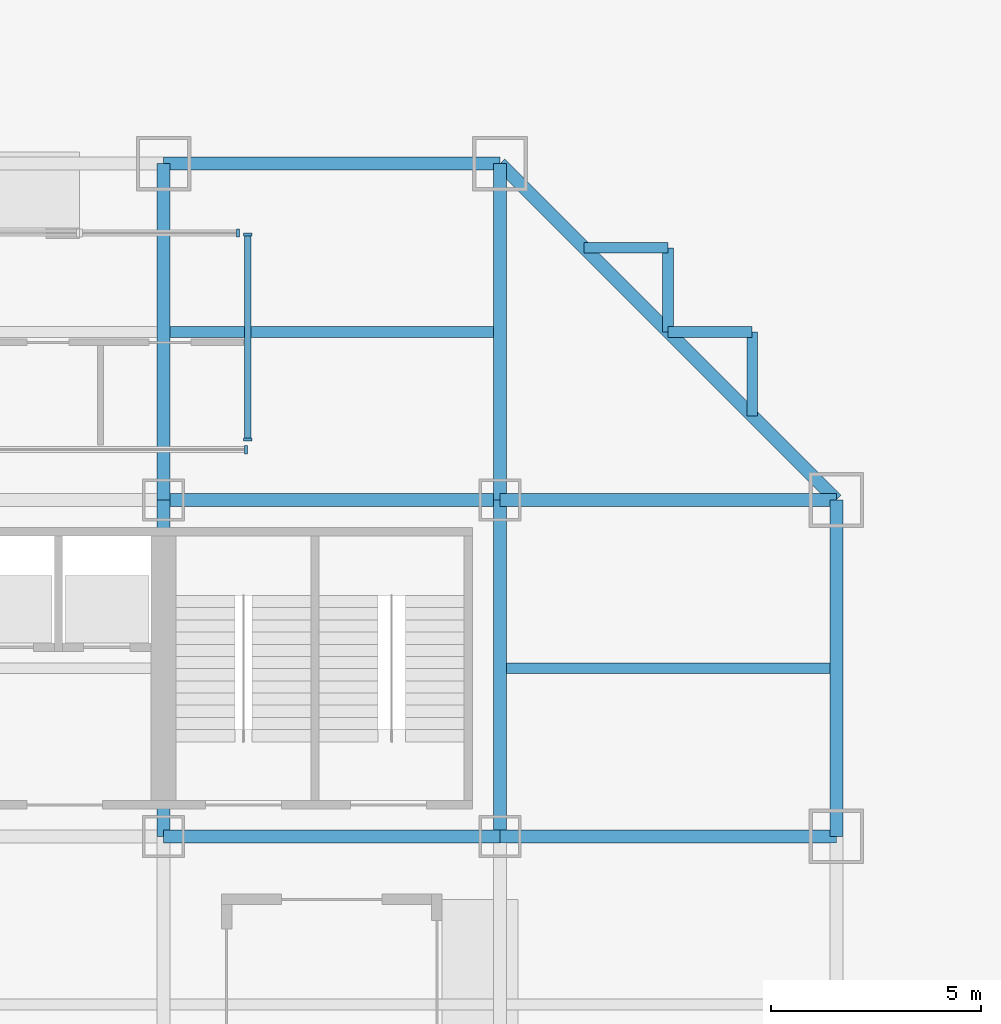
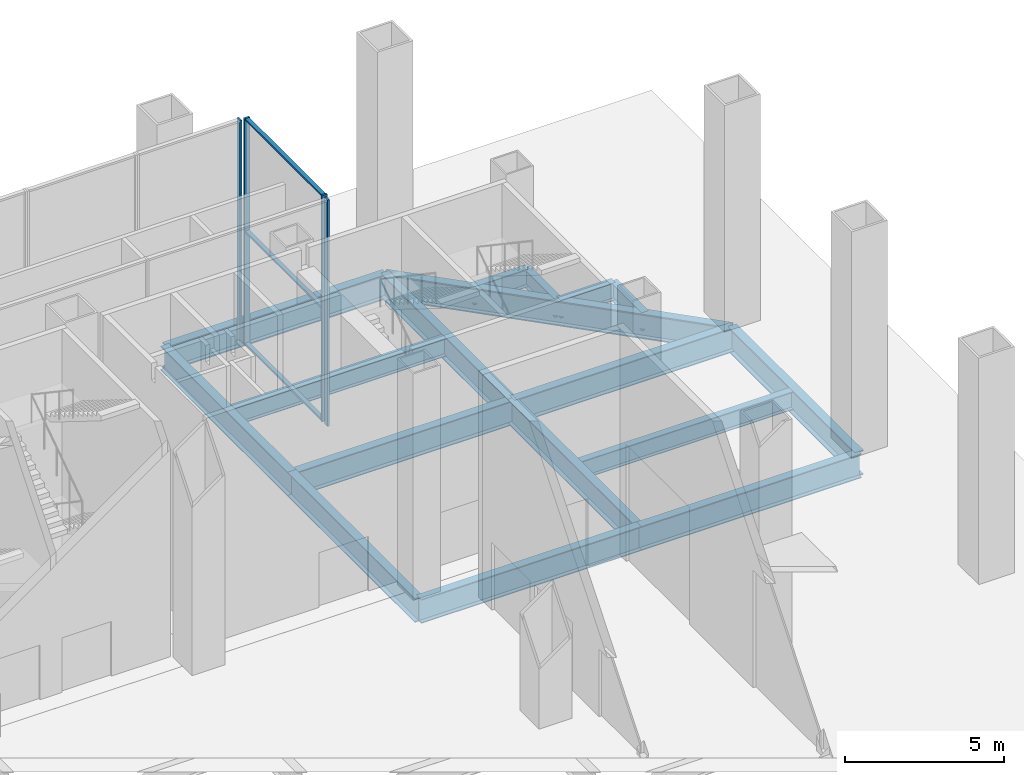
# One storey, part 5 of 14: 17 beams, 7 members, 3 elements without a shape of their own.
"""IFC4 building model written with IfcOpenShell, lengths in metres."""

from ifc_helpers import new_model, si_unit, direction, frame, origin, origin_2d, place, context, subcontext, project, spatial, rectangle, i_section, extrude, material, material_profile, profile_set, type_object, element, aggregate, save


model = new_model("IFC4")

# Units and contexts
model_context = context("Model", 3, precision=1e-05, world=origin(), true_north=direction((0.0, 1.0)))
body_context = subcontext(model_context, "Body", "Model", "MODEL_VIEW")
ifc_project = project(units=[si_unit("LENGTHUNIT", "METRE"), si_unit("AREAUNIT", "SQUARE_METRE"), si_unit("VOLUMEUNIT", "CUBIC_METRE"), si_unit("PLANEANGLEUNIT", "RADIAN"), si_unit("MASSUNIT", "GRAM", prefix="KILO")], contexts=[model_context])

# Site, building, storey
site_placement = place(None, origin())
site = spatial("IfcSite", under=ifc_project, at=site_placement, CompositionType="ELEMENT")
building_placement = place(site_placement, origin())
building = spatial("IfcBuilding", under=site, at=building_placement, Name="Immortelle Media Tower", CompositionType="ELEMENT")
storey_placement = place(building_placement, origin())
storey = spatial("IfcBuildingStorey", under=building, at=storey_placement, Name="G", CompositionType="ELEMENT", Elevation=0.0)

# Curtain wall, members
ifc_material_1 = material(Name="Aluminium curtain wall system", Category="aluminium")
curtain_wall_type = type_object("IfcCurtainWallType", Name="Shopfront glazing curtain wall", PredefinedType="NOTDEFINED", material=ifc_material_1)
curtain_wall_1_placement = place(storey_placement, origin())
curtain_wall_1 = element("IfcCurtainWall", 1, at=curtain_wall_1_placement, inside=storey, type_object=curtain_wall_type, Name="Shopfront G E 1", PredefinedType="NOTDEFINED")
ifc_material_2 = material(Name="Aluminium 6063-T6", Category="aluminium")
ifc_material_profile_1 = material_profile(ifc_material_2, rectangle(XDim=0.199951171875, YDim=0.070068359375, at=origin_2d()), Name="AL 70x200")
ifc_profile_set_1 = profile_set([ifc_material_profile_1], Name="Aluminium 6063-T6")
member_type_1 = type_object("IfcMemberType", Name="Shopfront glazing mullion 70 x 200", PredefinedType="MULLION", material=ifc_profile_set_1)
member_1_placement = place(storey_placement, frame((34.0, 41.43505859375, 0.0), z_axis=(0.0, 0.0, 1.0), x_axis=(-1.0, 0.0, 0.0)))
member_1 = element("IfcMember", 2, at=member_1_placement, type_object=member_type_1, Name="CW2 mullion 1", PredefinedType="MULLION", context=body_context, shape_type="SweptSolid", body=[
    extrude(rectangle(XDim=0.199951171875, YDim=0.070068359375, at=origin_2d()), origin(), (0.0, 0.0, 1.0), 8.699951171875),
])
member_2_placement = place(storey_placement, frame((34.0, 46.31494140625, 0.0), z_axis=(0.0, 0.0, 1.0), x_axis=(-1.0, 0.0, 0.0)))
member_2 = element("IfcMember", 3, at=member_2_placement, type_object=member_type_1, Name="CW2 mullion 2", PredefinedType="MULLION", context=body_context, shape_type="SweptSolid", body=[
    extrude(rectangle(XDim=0.199951171875, YDim=0.070068359375, at=origin_2d()), origin(), (0.0, 0.0, 1.0), 8.699951171875),
])

# Curtain wall, member
curtain_wall_2_placement = place(storey_placement, origin())
curtain_wall_2 = element("IfcCurtainWall", 4, at=curtain_wall_2_placement, inside=storey, type_object=curtain_wall_type, Name="Shopfront G N 2-1", PredefinedType="NOTDEFINED")
member_3_placement = place(storey_placement, frame((33.764892578125, 46.35009765625, 0.0), z_axis=(0.0, 0.0, 1.0), x_axis=(0.0, -1.0, 0.0)))
member_3 = element("IfcMember", 5, at=member_3_placement, type_object=member_type_1, Name="CW2 mullion 1", PredefinedType="MULLION", context=body_context, shape_type="SweptSolid", body=[
    extrude(rectangle(XDim=0.199951171875, YDim=0.070068359375, at=origin_2d()), origin(), (0.0, 0.0, 1.0), 8.699951171875),
])
aggregate(curtain_wall_2, [member_3])

curtain_wall_3_placement = place(storey_placement, origin())
curtain_wall_3 = element("IfcCurtainWall", 6, at=curtain_wall_3_placement, inside=storey, type_object=curtain_wall_type, Name="Shopfront G S 4", PredefinedType="NOTDEFINED")
member_4_placement = place(storey_placement, frame((33.965087890625, 41.199951171875, 0.0), z_axis=(0.0, 0.0, 1.0), x_axis=(0.0, 1.0, 0.0)))
member_4 = element("IfcMember", 7, at=member_4_placement, type_object=member_type_1, Name="CW2 mullion 4", PredefinedType="MULLION", context=body_context, shape_type="SweptSolid", body=[
    extrude(rectangle(XDim=0.199951171875, YDim=0.070068359375, at=origin_2d()), origin(), (0.0, 0.0, 1.0), 8.699951171875),
])
aggregate(curtain_wall_3, [member_4])

# Member
ifc_material_profile_2 = material_profile(ifc_material_2, rectangle(XDim=0.14990234375, YDim=0.070068359375, at=origin_2d()), Name="AL 70x150")
ifc_profile_set_2 = profile_set([ifc_material_profile_2], Name="Aluminium 6063-T6")
member_type_2 = type_object("IfcMemberType", Name="Shopfront glazing transom 70 x 150", PredefinedType="USERDEFINED", material=ifc_profile_set_2)
member_5_placement = place(storey_placement, frame((34.0, 41.469970703125, 0.034912109375), z_axis=(0.0, 1.0, 0.0), x_axis=(-1.0, 0.0, 0.0)))
member_5 = element("IfcMember", 8, at=member_5_placement, type_object=member_type_2, Name="CW2 transom 1.1", ObjectType="TRANSOM", PredefinedType="USERDEFINED", context=body_context, shape_type="SweptSolid", body=[
    extrude(rectangle(XDim=0.14990234375, YDim=0.070068359375, at=origin_2d()), origin(), (0.0, 0.0, 1.0), 4.81005859375),
])

member_6_placement = place(storey_placement, frame((34.0, 41.469970703125, 4.35009765625), z_axis=(0.0, 1.0, 0.0), x_axis=(-1.0, 0.0, 0.0)))
member_6 = element("IfcMember", 9, at=member_6_placement, type_object=member_type_2, Name="CW2 transom 1.2", ObjectType="TRANSOM", PredefinedType="USERDEFINED", context=body_context, shape_type="SweptSolid", body=[
    extrude(rectangle(XDim=0.14990234375, YDim=0.070068359375, at=origin_2d()), origin(), (0.0, 0.0, 1.0), 4.81005859375),
])

member_7_placement = place(storey_placement, frame((34.0, 41.469970703125, 8.6650390625), z_axis=(0.0, 1.0, 0.0), x_axis=(-1.0, 0.0, 0.0)))
member_7 = element("IfcMember", 10, at=member_7_placement, type_object=member_type_2, Name="CW2 transom 1.3", ObjectType="TRANSOM", PredefinedType="USERDEFINED", context=body_context, shape_type="SweptSolid", body=[
    extrude(rectangle(XDim=0.14990234375, YDim=0.070068359375, at=origin_2d()), origin(), (0.0, 0.0, 1.0), 4.81005859375),
])

aggregate(curtain_wall_1, [member_1, member_2, member_5, member_6, member_7])

# Beams
ifc_material_3 = material(Name="Steel ASTM A992 Gr 50", Category="steel")
ifc_material_profile_3 = material_profile(ifc_material_3, i_section(OverallWidth=0.257080078125, OverallDepth=0.693115234375, WebThickness=0.013916015625, FlangeThickness=0.02392578125, at=origin_2d()), Name="W27x114")
ifc_profile_set_3 = profile_set([ifc_material_profile_3], Name="Steel ASTM A992 Gr 50")
beam_type_1 = type_object("IfcBeamType", Name="W27x114 secondary beam", PredefinedType="JOIST", material=ifc_profile_set_3)
beam_1_placement = place(storey_placement, frame((40.153564453125, 36.0, -0.696533203125), z_axis=(1.0, 0.0, 0.0), x_axis=(0.0, 1.0, 0.0)))
element("IfcBeam", 11, at=beam_1_placement, inside=storey, type_object=beam_type_1, Name="Beam E-F/6-7", PredefinedType="JOIST", context=body_context, shape_type="SweptSolid", body=[
    extrude(i_section(OverallWidth=0.257080078125, OverallDepth=0.693115234375, WebThickness=0.013916015625, FlangeThickness=0.02392578125, at=origin_2d()), origin(), (0.0, 0.0, 1.0), 7.69140625),
])
beam_2_placement = place(storey_placement, frame((32.153564453125, 44.0, -0.696533203125), z_axis=(1.0, 0.0, 0.0), x_axis=(0.0, 1.0, 0.0)))
element("IfcBeam", 12, at=beam_2_placement, inside=storey, type_object=beam_type_1, Name="Beam F-G/5-6", PredefinedType="JOIST", context=body_context, shape_type="SweptSolid", body=[
    extrude(i_section(OverallWidth=0.257080078125, OverallDepth=0.693115234375, WebThickness=0.013916015625, FlangeThickness=0.02392578125, at=origin_2d()), origin(), (0.0, 0.0, 1.0), 7.69287109375),
])
ifc_material_profile_4 = material_profile(ifc_material_3, i_section(OverallWidth=0.257080078125, OverallDepth=0.693115234375, WebThickness=0.013916015625, FlangeThickness=0.02392578125, at=origin_2d()), Name="W27x114")
ifc_profile_set_4 = profile_set([ifc_material_profile_4], Name="Steel ASTM A992 Gr 50")
beam_type_2 = type_object("IfcBeamType", Name="W27x114 serration edge beam", PredefinedType="SPANDREL", material=ifc_profile_set_4)
for number, where, z_axis, x_axis, name in (
    (13, (42.0, 46.0, -0.696533203125), (1.0, 0.0, 0.0), (0.0, 1.0, 0.0), "Corner edge beam 1 at 7/G"),
    (14, (44.0, 46.0, -0.696533203125), (0.0, -1.0, 0.0), (1.0, 0.0, 0.0), "Corner edge beam 2 at 7/G"),
    (15, (44.0, 44.0, -0.696533203125), (1.0, 0.0, 0.0), (0.0, 1.0, 0.0), "Corner edge beam 3 at 7/G"),
    (16, (46.0, 44.0, -0.696533203125), (0.0, -1.0, 0.0), (1.0, 0.0, 0.0), "Corner edge beam 4 at 7/G"),
):
    element("IfcBeam", number, at=place(storey_placement, frame(where, z_axis=z_axis, x_axis=x_axis)), inside=storey, type_object=beam_type_2, Name=name, PredefinedType="SPANDREL", context=body_context, shape_type="SweptSolid", body=[
        extrude(i_section(OverallWidth=0.257080078125, OverallDepth=0.693115234375, WebThickness=0.013916015625, FlangeThickness=0.02392578125, at=origin_2d()), origin(), (0.0, 0.0, 1.0), 2.0),
    ])
ifc_material_profile_5 = material_profile(ifc_material_3, i_section(OverallWidth=0.306884765625, OverallDepth=0.927001953125, WebThickness=0.01904296875, FlangeThickness=0.031982421875, at=origin_2d()), Name="W36x194")
ifc_profile_set_5 = profile_set([ifc_material_profile_5], Name="Steel ASTM A992 Gr 50")
beam_type_3 = type_object("IfcBeamType", Name="W36x194 girder", PredefinedType="BEAM", material=ifc_profile_set_5)
for number, where, z_axis, x_axis, name in (
    (17, (32.0, 32.0, -0.8134765625), (1.0, 0.0, 0.0), (0.0, 1.0, 0.0), "Girder E/5-6"),
    (18, (32.0, 32.0, -0.8134765625), (0.0, 1.0, 0.0), (-1.0, 0.0, 0.0), "Girder 5/E-F"),
    (19, (32.0, 40.0, -0.8134765625), (1.0, 0.0, 0.0), (0.0, 1.0, 0.0), "Girder F/5-6"),
    (20, (32.0, 40.0, -0.8134765625), (0.0, 1.0, 0.0), (-1.0, 0.0, 0.0), "Girder 5/F-G"),
    (21, (40.0, 32.0, -0.8134765625), (1.0, 0.0, 0.0), (0.0, 1.0, 0.0), "Girder E/6-7"),
    (22, (40.0, 32.0, -0.8134765625), (0.0, 1.0, 0.0), (-1.0, 0.0, 0.0), "Girder 6/E-F"),
    (23, (40.0, 40.0, -0.8134765625), (1.0, 0.0, 0.0), (0.0, 1.0, 0.0), "Girder F/6-7"),
    (24, (40.0, 40.0, -0.8134765625), (0.0, 1.0, 0.0), (-1.0, 0.0, 0.0), "Girder 6/F-G"),
):
    element("IfcBeam", number, at=place(storey_placement, frame(where, z_axis=z_axis, x_axis=x_axis)), inside=storey, type_object=beam_type_3, Name=name, PredefinedType="BEAM", context=body_context, shape_type="SweptSolid", body=[
        extrude(i_section(OverallWidth=0.306884765625, OverallDepth=0.927001953125, WebThickness=0.01904296875, FlangeThickness=0.031982421875, at=origin_2d()), origin(), (0.0, 0.0, 1.0), 8.0),
    ])
ifc_material_profile_6 = material_profile(ifc_material_3, i_section(OverallWidth=0.31005859375, OverallDepth=0.949951171875, WebThickness=0.02392578125, FlangeThickness=0.0439453125, at=origin_2d()), Name="W36x256")
ifc_profile_set_6 = profile_set([ifc_material_profile_6], Name="Steel ASTM A992 Gr 50")
beam_type_4 = type_object("IfcBeamType", Name="W36x256 corner girder", PredefinedType="SPANDREL", material=ifc_profile_set_6)
beam_3_placement = place(storey_placement, frame((40.0, 48.0, -0.824951171875), z_axis=(0.707106781187, -0.707106781187, 0.0), x_axis=(0.707106781187, 0.707106781187, 0.0)))
element("IfcBeam", 25, at=beam_3_placement, inside=storey, type_object=beam_type_4, Name="Corner girder at 7/G", PredefinedType="SPANDREL", context=body_context, shape_type="SweptSolid", body=[
    extrude(i_section(OverallWidth=0.31005859375, OverallDepth=0.949951171875, WebThickness=0.02392578125, FlangeThickness=0.0439453125, at=origin_2d()), origin(), (0.0, 0.0, 1.0), 11.313720703125),
])
ifc_material_profile_7 = material_profile(ifc_material_3, i_section(OverallWidth=0.31005859375, OverallDepth=0.949951171875, WebThickness=0.02392578125, FlangeThickness=0.0439453125, at=origin_2d()), Name="W36x256")
ifc_profile_set_7 = profile_set([ifc_material_profile_7], Name="Steel ASTM A992 Gr 50")
beam_type_5 = type_object("IfcBeamType", Name="W36x256 perimeter girder", PredefinedType="SPANDREL", material=ifc_profile_set_7)
for number, where, z_axis, x_axis, name in (
    (26, (32.0, 48.0, -0.824951171875), (1.0, 0.0, 0.0), (0.0, 1.0, 0.0), "Girder G/5-6"),
    (27, (48.0, 32.0, -0.824951171875), (0.0, 1.0, 0.0), (-1.0, 0.0, 0.0), "Girder 7/E-F"),
):
    element("IfcBeam", number, at=place(storey_placement, frame(where, z_axis=z_axis, x_axis=x_axis)), inside=storey, type_object=beam_type_5, Name=name, PredefinedType="SPANDREL", context=body_context, shape_type="SweptSolid", body=[
        extrude(i_section(OverallWidth=0.31005859375, OverallDepth=0.949951171875, WebThickness=0.02392578125, FlangeThickness=0.0439453125, at=origin_2d()), origin(), (0.0, 0.0, 1.0), 8.0),
    ])

save(model, "model.ifc")
